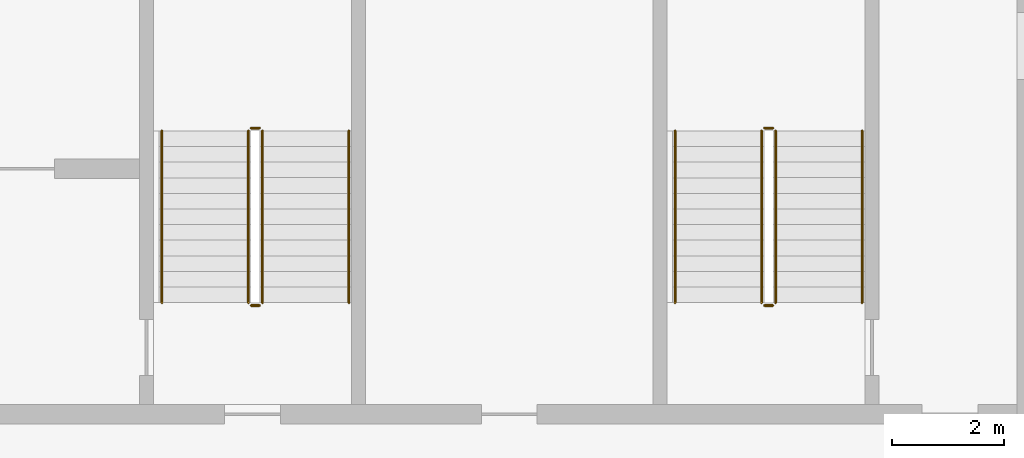
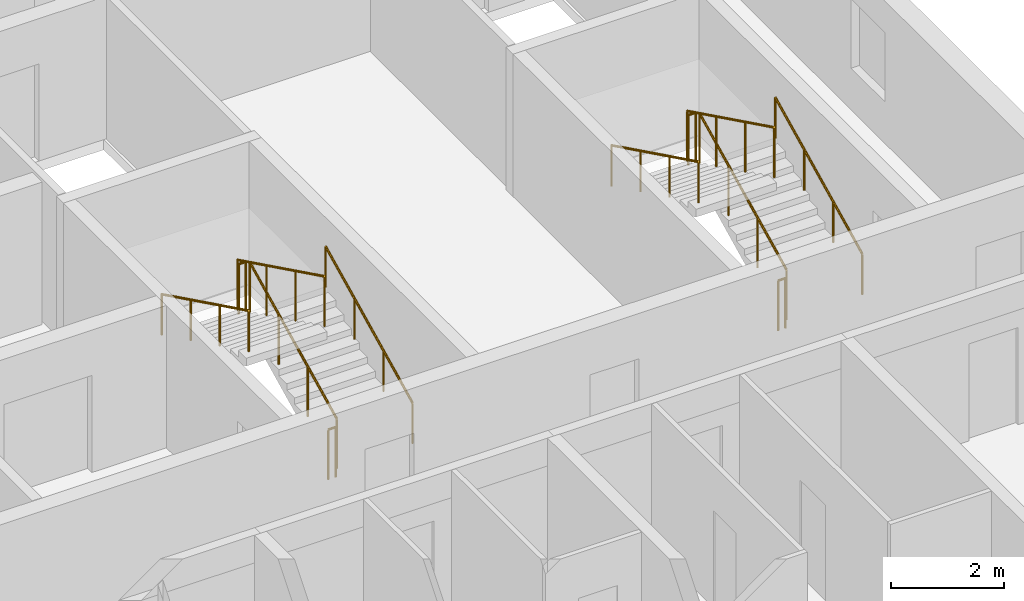
# One storey, part 15 of 27: 12 railings.
"""IFC4 building model written with IfcOpenShell, lengths in metres."""

import ifcopenshell
import ifcopenshell.guid

model = None  # the IFC model being written
_history = None  # IfcOwnerHistory: only IFC2X3 demands one
_inside = {}  # id of a spatial element -> (the spatial element, [elements in it])
_under = {}  # id of a project, library or spatial element -> (it, [spatial elements below it])
_declared = {}  # id of a project -> (the project, [libraries it declares])
_typed = {}  # id of a type object -> (the type object, [elements of that type])
_made_of = {}  # id of a material, layer set ... -> (it, [elements and type objects made of it])


def new_model(schema):
    """Start an empty IFC model of exactly this schema.

    Asked for "IFC4X3", IfcOpenShell would pick the latest addendum, in which some entities
    have other attributes; the version numbers below select the first issue.
    IFC2X3 requires an IfcOwnerHistory on every rooted entity: one is made here for all.
    """
    global model, _history
    if schema == "IFC4X3":
        model = ifcopenshell.file(schema_version=(4, 3, 0, 0))
    else:
        model = ifcopenshell.file(schema=schema)
    _inside.clear()
    _under.clear()
    _declared.clear()
    _typed.clear()
    _made_of.clear()
    _history = None
    if model.schema == "IFC2X3":
        org = make("IfcOrganization", Name="unknown")
        user = make(
            "IfcPersonAndOrganization",
            ThePerson=make("IfcPerson", FamilyName="unknown"),
            TheOrganization=org,
        )
        app = make(
            "IfcApplication",
            ApplicationDeveloper=org,
            Version="unknown",
            ApplicationFullName="unknown",
            ApplicationIdentifier="unknown",
        )
        _history = make(
            "IfcOwnerHistory",
            OwningUser=user,
            OwningApplication=app,
            ChangeAction="ADDED",
            CreationDate=0,
        )
    return model


def make(cls, **values):
    """One entity of the class cls with the attributes given. An attribute that is None is left unset."""
    return model.create_entity(
        cls, **{name: value for name, value in values.items() if value is not None}
    )


def rooted(cls, **values):
    """An entity with a GlobalId (a new one), such as an element, a storey or a relation."""
    return make(cls, GlobalId=ifcopenshell.guid.new(), OwnerHistory=_history, **values)


def si_unit(unit_type, name, prefix=None):
    """IfcSIUnit, for example si_unit("LENGTHUNIT", "METRE", prefix="MILLI")."""
    return make("IfcSIUnit", UnitType=unit_type, Prefix=prefix, Name=name)


def assignment(units):
    """IfcUnitAssignment: the units of a project."""
    return None if units is None else make("IfcUnitAssignment", Units=units)


def point(xyz):
    """IfcCartesianPoint."""
    return None if xyz is None else make("IfcCartesianPoint", Coordinates=xyz)


def direction(xyz):
    """IfcDirection."""
    return None if xyz is None else make("IfcDirection", DirectionRatios=xyz)


def frame(location, z_axis=None, x_axis=None):
    """IfcAxis2Placement3D, a coordinate frame: its origin and axes. An axis left out is left unset."""
    return make(
        "IfcAxis2Placement3D",
        Location=point(location),
        Axis=direction(z_axis),
        RefDirection=direction(x_axis),
    )


def frame_2d(location, x_axis=None):
    """IfcAxis2Placement2D, a coordinate frame in the plane: its origin and x axis."""
    return make(
        "IfcAxis2Placement2D", Location=point(location), RefDirection=direction(x_axis)
    )


def origin():
    """The frame at (0, 0, 0) with its axes left unset."""
    return frame((0.0, 0.0, 0.0))


def origin_2d():
    """The frame at (0, 0) in the plane with its x axis left unset."""
    return frame_2d((0.0, 0.0))


def place(relative_to, where):
    """IfcLocalPlacement: puts the frame where relative to a parent placement (None: the world)."""
    return make(
        "IfcLocalPlacement", PlacementRelTo=relative_to, RelativePlacement=where
    )


def context(
    kind, dimensions, precision=None, world=None, true_north=None, identifier=None
):
    """IfcGeometricRepresentationContext, for example the 3D "Model" context."""
    return make(
        "IfcGeometricRepresentationContext",
        ContextIdentifier=identifier,
        ContextType=kind,
        CoordinateSpaceDimension=dimensions,
        Precision=precision,
        WorldCoordinateSystem=world,
        TrueNorth=true_north,
    )


def subcontext(parent, identifier, kind, view, scale=None):
    """IfcGeometricRepresentationSubContext, for example "Body" below "Model"."""
    return make(
        "IfcGeometricRepresentationSubContext",
        ContextIdentifier=identifier,
        ContextType=kind,
        ParentContext=parent,
        TargetScale=scale,
        TargetView=view,
    )


def project(units=None, contexts=None):
    """IfcProject with its units and contexts."""
    return rooted(
        "IfcProject",
        Name="project",
        RepresentationContexts=contexts,
        UnitsInContext=assignment(units),
    )


def spatial(cls, under=None, at=None, **own):
    """A site, building, storey or space (cls), placed at a placement, below another one or the project."""
    s = rooted(cls, ObjectPlacement=at, **own)
    if under is not None:
        _under.setdefault(under.id(), (under, []))[1].append(s)
    return s


def profile(cls, at=None, kind="AREA", **sizes):
    """A parametric profile (cls). Its sizes go by their IFC names, for example OverallWidth=200.0."""
    return make(cls, ProfileType=kind, Position=at, **sizes)


def circle(**sizes):
    """IfcCircleProfileDef."""
    return profile("IfcCircleProfileDef", **sizes)


def extrude(swept, where, along, depth):
    """IfcExtrudedAreaSolid: the profile swept, set in the frame where, extruded along a direction by depth."""
    return make(
        "IfcExtrudedAreaSolid",
        SweptArea=swept,
        Position=where,
        ExtrudedDirection=direction(along),
        Depth=depth,
    )


def shape(context_of_items, identifier, shape_type, items):
    """IfcShapeRepresentation: the items that make up one representation, for example the "Body"."""
    return make(
        "IfcShapeRepresentation",
        ContextOfItems=context_of_items,
        RepresentationIdentifier=identifier,
        RepresentationType=shape_type,
        Items=items,
    )


def material(Name=None, Category=None):
    """IfcMaterial."""
    return make("IfcMaterial", Name=Name, Category=Category)


def made_of(thing, what):
    """Note that an element or type object is made of a material, layer set ...; save() writes the relation."""
    if what is not None:
        _made_of.setdefault(what.id(), (what, []))[1].append(thing)
    return thing


def type_object(cls, material=None, **own):
    """A type object (cls), such as IfcWallType, which elements share."""
    return made_of(rooted(cls, **own), material)


def element(
    cls,
    number,
    at=None,
    inside=None,
    cuts=None,
    type_object=None,
    material=None,
    context=None,
    identifier="Body",
    shape_type=None,
    held_by="IfcProductDefinitionShape",
    body=None,
    shapes=None,
    **own,
):
    """One element of the class cls, such as IfcWall. Its Tag is "e" and its number.

    at: its placement. inside: the storey or other place that contains it. cuts: it is an
    opening in that element (IfcRelVoidsElement). A single representation is given by context,
    identifier, shape_type and body (its items); several are given by shapes. held_by: the class
    of the entity that holds the representations. save() writes the other relations.
    """
    e = rooted(cls, Tag="e%d" % number, ObjectPlacement=at, **own)
    if body is not None:
        shapes = [shape(context, identifier, shape_type, body)]
    if shapes is not None:
        e.Representation = make(held_by, Representations=shapes)
    if inside is not None:
        _inside.setdefault(inside.id(), (inside, []))[1].append(e)
    if cuts is not None:
        rooted(
            "IfcRelVoidsElement", RelatingBuildingElement=cuts, RelatedOpeningElement=e
        )
    if type_object is not None:
        _typed.setdefault(type_object.id(), (type_object, []))[1].append(e)
    return made_of(e, material)


def aggregate(whole, parts):
    """IfcRelAggregates: a whole, such as a stair, and the parts it consists of."""
    return rooted("IfcRelAggregates", RelatingObject=whole, RelatedObjects=parts)


def save(model, path):
    """Write the relations noted so far, then the file.

    IfcRelAggregates (storeys below a building ...), IfcRelContainedInSpatialStructure (elements
    in a storey), IfcRelDefinesByType, IfcRelAssociatesMaterial and IfcRelDeclares: one each for
    every whole, place, type object, material and project.
    """
    for whole, parts in _under.values():
        aggregate(whole, parts)
    for where, things in _inside.values():
        rooted(
            "IfcRelContainedInSpatialStructure",
            RelatedElements=things,
            RelatingStructure=where,
        )
    for kind, things in _typed.values():
        rooted("IfcRelDefinesByType", RelatedObjects=things, RelatingType=kind)
    for what, things in _made_of.values():
        rooted("IfcRelAssociatesMaterial", RelatedObjects=things, RelatingMaterial=what)
    for by, libraries in _declared.values():
        rooted("IfcRelDeclares", RelatingContext=by, RelatedDefinitions=libraries)
    model.write(path)


model = new_model("IFC4")

# Units and contexts
model_context = context("Model", 3, precision=1e-05, world=origin(), true_north=direction((0.0, 1.0)))
body_context = subcontext(model_context, "Body", "Model", "MODEL_VIEW")
ifc_project = project(units=[si_unit("LENGTHUNIT", "METRE"), si_unit("AREAUNIT", "SQUARE_METRE"), si_unit("VOLUMEUNIT", "CUBIC_METRE"), si_unit("PLANEANGLEUNIT", "RADIAN"), si_unit("MASSUNIT", "GRAM", prefix="KILO")], contexts=[model_context])

# Site, building, storey
site_placement = place(None, origin())
site = spatial("IfcSite", under=ifc_project, at=site_placement, CompositionType="ELEMENT")
building_placement = place(site_placement, origin())
building = spatial("IfcBuilding", under=site, at=building_placement, Name="Poui Terraces", CompositionType="ELEMENT")
storey_placement = place(building_placement, frame((0.0, 0.0, 251.10009765625)))
storey = spatial("IfcBuildingStorey", under=building, at=storey_placement, Name="L70", CompositionType="ELEMENT", Elevation=251.10009765625)

# Railings
ifc_material_1 = material(Name="Galvanised steel balustrade", Category="steel")
railing_type_1 = type_object("IfcRailingType", Name="STAIR GUARD 1100", PredefinedType="GUARDRAIL", material=ifc_material_1)
railing_1_placement = place(storey_placement, frame((70.27490234375, 16.60009765625, 0.137451171875)))
element("IfcRailing", 1, at=railing_1_placement, inside=storey, type_object=railing_type_1, Name="L70 ST-CE stair guard 1", PredefinedType="GUARDRAIL", context=body_context, shape_type="SweptSolid", body=[
    extrude(circle(Radius=0.02392578125, at=origin_2d()), frame((0.0, 0.0, 1.076171875), z_axis=(0.0, 0.897606190399, 0.440798283751), x_axis=(-1.0, 0.0, 0.0)), (0.0, 0.0, 1.0), 3.43115234375),
    extrude(circle(Radius=0.02099609375, at=origin_2d()), origin(), (0.0, 0.0, 1.0), 1.052001953125),
    extrude(circle(Radius=0.02099609375, at=origin_2d()), frame((0.0, 1.026611328125, 0.504150390625)), (0.0, 0.0, 1.0), 1.052001953125),
    extrude(circle(Radius=0.02099609375, at=origin_2d()), frame((0.0, 2.05322265625, 1.00830078125)), (0.0, 0.0, 1.0), 1.052001953125),
    extrude(circle(Radius=0.02099609375, at=origin_2d()), frame((0.0, 3.079833984375, 1.512451171875)), (0.0, 0.0, 1.0), 1.052001953125),
])
railing_2_placement = place(storey_placement, frame((70.22509765625, 19.72998046875, 1.64990234375)))
element("IfcRailing", 2, at=railing_2_placement, inside=storey, type_object=railing_type_1, Name="L70 ST-CE stair guard 2", PredefinedType="GUARDRAIL", context=body_context, shape_type="SweptSolid", body=[
    extrude(circle(Radius=0.02392578125, at=origin_2d()), frame((0.0, 0.0, 1.076171875), z_axis=(-1.0, 0.0, 0.0), x_axis=(0.0, -1.0, 0.0)), (0.0, 0.0, 1.0), 0.150146484375),
    extrude(circle(Radius=0.02099609375, at=origin_2d()), origin(), (0.0, 0.0, 1.0), 1.052001953125),
    extrude(circle(Radius=0.02099609375, at=origin_2d()), frame((-0.150146484375, 0.0, 0.0)), (0.0, 0.0, 1.0), 1.052001953125),
])
railing_3_placement = place(storey_placement, frame((70.02490234375, 19.679931640625, 1.787353515625)))
element("IfcRailing", 3, at=railing_3_placement, inside=storey, type_object=railing_type_1, Name="L70 ST-CE stair guard 3", PredefinedType="GUARDRAIL", context=body_context, shape_type="SweptSolid", body=[
    extrude(circle(Radius=0.02392578125, at=origin_2d()), frame((0.0, 0.0, 1.076171875), z_axis=(0.0, -0.897606190399, 0.440798283751), x_axis=(1.0, 0.0, 0.0)), (0.0, 0.0, 1.0), 3.43115234375),
    extrude(circle(Radius=0.02099609375, at=origin_2d()), origin(), (0.0, 0.0, 1.0), 1.052001953125),
    extrude(circle(Radius=0.02099609375, at=origin_2d()), frame((0.0, -1.026611328125, 0.504150390625)), (0.0, 0.0, 1.0), 1.052001953125),
    extrude(circle(Radius=0.02099609375, at=origin_2d()), frame((0.0, -2.05322265625, 1.00830078125)), (0.0, 0.0, 1.0), 1.052001953125),
    extrude(circle(Radius=0.02099609375, at=origin_2d()), frame((0.0, -3.079833984375, 1.512451171875)), (0.0, 0.0, 1.0), 1.052001953125),
])
railing_4_placement = place(storey_placement, frame((70.22509765625, 16.550048828125, 0.0)))
element("IfcRailing", 4, at=railing_4_placement, inside=storey, type_object=railing_type_1, Name="L70 ST-CE stair guard 4", PredefinedType="GUARDRAIL", context=body_context, shape_type="SweptSolid", body=[
    extrude(circle(Radius=0.02392578125, at=origin_2d()), frame((0.0, 0.0, 1.076171875), z_axis=(-1.0, 0.0, 0.0), x_axis=(0.0, -1.0, 0.0)), (0.0, 0.0, 1.0), 0.150146484375),
    extrude(circle(Radius=0.02099609375, at=origin_2d()), origin(), (0.0, 0.0, 1.0), 1.052001953125),
    extrude(circle(Radius=0.02099609375, at=origin_2d()), frame((-0.150146484375, 0.0, 0.0)), (0.0, 0.0, 1.0), 1.052001953125),
])
railing_5_placement = place(storey_placement, frame((79.47509765625, 16.60009765625, 0.137451171875)))
element("IfcRailing", 5, at=railing_5_placement, inside=storey, type_object=railing_type_1, Name="L70 ST-E stair guard 1", PredefinedType="GUARDRAIL", context=body_context, shape_type="SweptSolid", body=[
    extrude(circle(Radius=0.02392578125, at=origin_2d()), frame((0.0, 0.0, 1.076171875), z_axis=(0.0, 0.897606190399, 0.440798283751), x_axis=(-1.0, 0.0, 0.0)), (0.0, 0.0, 1.0), 3.43115234375),
    extrude(circle(Radius=0.02099609375, at=origin_2d()), origin(), (0.0, 0.0, 1.0), 1.052001953125),
    extrude(circle(Radius=0.02099609375, at=origin_2d()), frame((0.0, 1.026611328125, 0.504150390625)), (0.0, 0.0, 1.0), 1.052001953125),
    extrude(circle(Radius=0.02099609375, at=origin_2d()), frame((0.0, 2.05322265625, 1.00830078125)), (0.0, 0.0, 1.0), 1.052001953125),
    extrude(circle(Radius=0.02099609375, at=origin_2d()), frame((0.0, 3.079833984375, 1.512451171875)), (0.0, 0.0, 1.0), 1.052001953125),
])
railing_6_placement = place(storey_placement, frame((79.425048828125, 19.72998046875, 1.64990234375)))
element("IfcRailing", 6, at=railing_6_placement, inside=storey, type_object=railing_type_1, Name="L70 ST-E stair guard 2", PredefinedType="GUARDRAIL", context=body_context, shape_type="SweptSolid", body=[
    extrude(circle(Radius=0.02392578125, at=origin_2d()), frame((0.0, 0.0, 1.076171875), z_axis=(-1.0, 0.0, 0.0), x_axis=(0.0, -1.0, 0.0)), (0.0, 0.0, 1.0), 0.150146484375),
    extrude(circle(Radius=0.02099609375, at=origin_2d()), origin(), (0.0, 0.0, 1.0), 1.052001953125),
    extrude(circle(Radius=0.02099609375, at=origin_2d()), frame((-0.150146484375, 0.0, 0.0)), (0.0, 0.0, 1.0), 1.052001953125),
])
railing_7_placement = place(storey_placement, frame((79.22509765625, 19.679931640625, 1.787353515625)))
element("IfcRailing", 7, at=railing_7_placement, inside=storey, type_object=railing_type_1, Name="L70 ST-E stair guard 3", PredefinedType="GUARDRAIL", context=body_context, shape_type="SweptSolid", body=[
    extrude(circle(Radius=0.02392578125, at=origin_2d()), frame((0.0, 0.0, 1.076171875), z_axis=(0.0, -0.897606190399, 0.440798283751), x_axis=(1.0, 0.0, 0.0)), (0.0, 0.0, 1.0), 3.43115234375),
    extrude(circle(Radius=0.02099609375, at=origin_2d()), origin(), (0.0, 0.0, 1.0), 1.052001953125),
    extrude(circle(Radius=0.02099609375, at=origin_2d()), frame((0.0, -1.026611328125, 0.504150390625)), (0.0, 0.0, 1.0), 1.052001953125),
    extrude(circle(Radius=0.02099609375, at=origin_2d()), frame((0.0, -2.05322265625, 1.00830078125)), (0.0, 0.0, 1.0), 1.052001953125),
    extrude(circle(Radius=0.02099609375, at=origin_2d()), frame((0.0, -3.079833984375, 1.512451171875)), (0.0, 0.0, 1.0), 1.052001953125),
])
railing_8_placement = place(storey_placement, frame((79.425048828125, 16.550048828125, 0.0)))
element("IfcRailing", 8, at=railing_8_placement, inside=storey, type_object=railing_type_1, Name="L70 ST-E stair guard 4", PredefinedType="GUARDRAIL", context=body_context, shape_type="SweptSolid", body=[
    extrude(circle(Radius=0.02392578125, at=origin_2d()), frame((0.0, 0.0, 1.076171875), z_axis=(-1.0, 0.0, 0.0), x_axis=(0.0, -1.0, 0.0)), (0.0, 0.0, 1.0), 0.150146484375),
    extrude(circle(Radius=0.02099609375, at=origin_2d()), origin(), (0.0, 0.0, 1.0), 1.052001953125),
    extrude(circle(Radius=0.02099609375, at=origin_2d()), frame((-0.150146484375, 0.0, 0.0)), (0.0, 0.0, 1.0), 1.052001953125),
])
ifc_material_2 = material(Name="Stainless steel handrail", Category="steel")
railing_type_2 = type_object("IfcRailingType", Name="STAIR HANDRAIL 900", PredefinedType="HANDRAIL", material=ifc_material_2)
railing_9_placement = place(storey_placement, frame((71.824951171875, 16.60009765625, 0.137451171875)))
element("IfcRailing", 9, at=railing_9_placement, inside=storey, type_object=railing_type_2, Name="L70 ST-CE stair handrail 1", PredefinedType="HANDRAIL", context=body_context, shape_type="SweptSolid", body=[
    extrude(circle(Radius=0.02392578125, at=origin_2d()), frame((0.0, 0.0, 0.8759765625), z_axis=(0.0, 0.897606190399, 0.440798283751), x_axis=(-1.0, 0.0, 0.0)), (0.0, 0.0, 1.0), 3.43115234375),
    extrude(circle(Radius=0.02099609375, at=origin_2d()), origin(), (0.0, 0.0, 1.0), 0.851806640625),
    extrude(circle(Radius=0.02099609375, at=origin_2d()), frame((0.0, 1.026611328125, 0.504150390625)), (0.0, 0.0, 1.0), 0.851806640625),
    extrude(circle(Radius=0.02099609375, at=origin_2d()), frame((0.0, 2.05322265625, 1.00830078125)), (0.0, 0.0, 1.0), 0.851806640625),
    extrude(circle(Radius=0.02099609375, at=origin_2d()), frame((0.0, 3.079833984375, 1.512451171875)), (0.0, 0.0, 1.0), 0.851806640625),
])
railing_10_placement = place(storey_placement, frame((68.47509765625, 19.679931640625, 1.787353515625)))
element("IfcRailing", 10, at=railing_10_placement, inside=storey, type_object=railing_type_2, Name="L70 ST-CE stair handrail 2", PredefinedType="HANDRAIL", context=body_context, shape_type="SweptSolid", body=[
    extrude(circle(Radius=0.02392578125, at=origin_2d()), frame((0.0, 0.0, 0.8759765625), z_axis=(0.0, -0.897606190399, 0.440798283751), x_axis=(1.0, 0.0, 0.0)), (0.0, 0.0, 1.0), 3.43115234375),
    extrude(circle(Radius=0.02099609375, at=origin_2d()), origin(), (0.0, 0.0, 1.0), 0.851806640625),
    extrude(circle(Radius=0.02099609375, at=origin_2d()), frame((0.0, -1.026611328125, 0.504150390625)), (0.0, 0.0, 1.0), 0.851806640625),
    extrude(circle(Radius=0.02099609375, at=origin_2d()), frame((0.0, -2.05322265625, 1.00830078125)), (0.0, 0.0, 1.0), 0.851806640625),
    extrude(circle(Radius=0.02099609375, at=origin_2d()), frame((0.0, -3.079833984375, 1.512451171875)), (0.0, 0.0, 1.0), 0.851806640625),
])
railing_11_placement = place(storey_placement, frame((81.02490234375, 16.60009765625, 0.137451171875)))
element("IfcRailing", 11, at=railing_11_placement, inside=storey, type_object=railing_type_2, Name="L70 ST-E stair handrail 1", PredefinedType="HANDRAIL", context=body_context, shape_type="SweptSolid", body=[
    extrude(circle(Radius=0.02392578125, at=origin_2d()), frame((0.0, 0.0, 0.8759765625), z_axis=(0.0, 0.897606190399, 0.440798283751), x_axis=(-1.0, 0.0, 0.0)), (0.0, 0.0, 1.0), 3.43115234375),
    extrude(circle(Radius=0.02099609375, at=origin_2d()), origin(), (0.0, 0.0, 1.0), 0.851806640625),
    extrude(circle(Radius=0.02099609375, at=origin_2d()), frame((0.0, 1.026611328125, 0.504150390625)), (0.0, 0.0, 1.0), 0.851806640625),
    extrude(circle(Radius=0.02099609375, at=origin_2d()), frame((0.0, 2.05322265625, 1.00830078125)), (0.0, 0.0, 1.0), 0.851806640625),
    extrude(circle(Radius=0.02099609375, at=origin_2d()), frame((0.0, 3.079833984375, 1.512451171875)), (0.0, 0.0, 1.0), 0.851806640625),
])
railing_12_placement = place(storey_placement, frame((77.675048828125, 19.679931640625, 1.787353515625)))
element("IfcRailing", 12, at=railing_12_placement, inside=storey, type_object=railing_type_2, Name="L70 ST-E stair handrail 2", PredefinedType="HANDRAIL", context=body_context, shape_type="SweptSolid", body=[
    extrude(circle(Radius=0.02392578125, at=origin_2d()), frame((0.0, 0.0, 0.8759765625), z_axis=(0.0, -0.897606190399, 0.440798283751), x_axis=(1.0, 0.0, 0.0)), (0.0, 0.0, 1.0), 3.43115234375),
    extrude(circle(Radius=0.02099609375, at=origin_2d()), origin(), (0.0, 0.0, 1.0), 0.851806640625),
    extrude(circle(Radius=0.02099609375, at=origin_2d()), frame((0.0, -1.026611328125, 0.504150390625)), (0.0, 0.0, 1.0), 0.851806640625),
    extrude(circle(Radius=0.02099609375, at=origin_2d()), frame((0.0, -2.05322265625, 1.00830078125)), (0.0, 0.0, 1.0), 0.851806640625),
    extrude(circle(Radius=0.02099609375, at=origin_2d()), frame((0.0, -3.079833984375, 1.512451171875)), (0.0, 0.0, 1.0), 0.851806640625),
])

save(model, "model.ifc")
